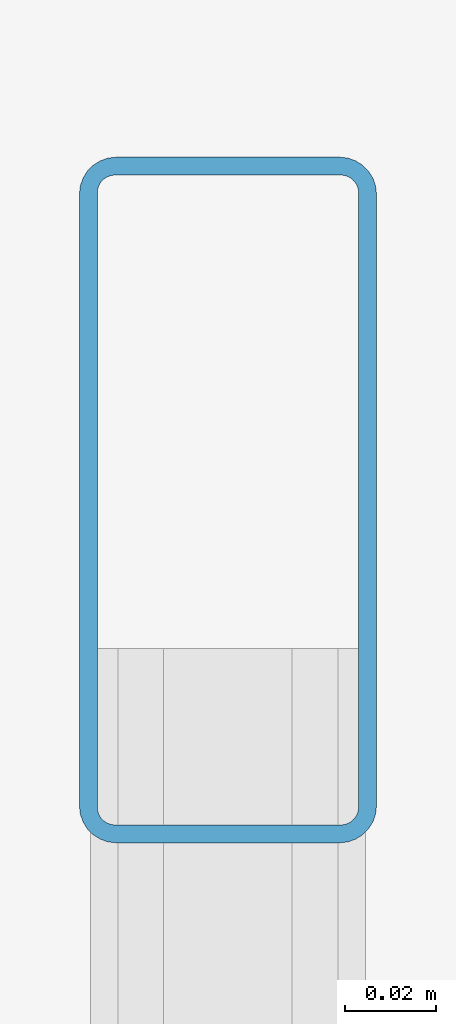
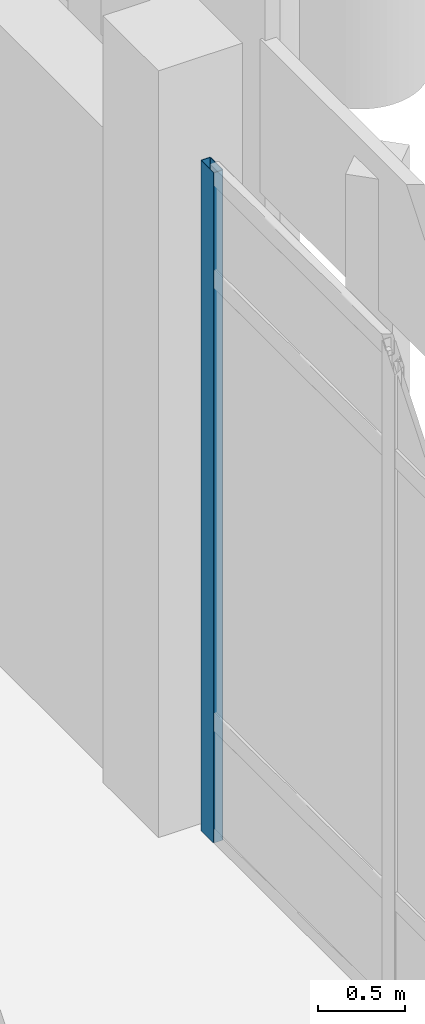
# One storey, part 29 of 109: 1 member, 1 element without a shape of its own.
"""IFC4 building model written with IfcOpenShell, lengths in metres."""

from ifc_helpers import new_model, si_unit, direction, frame, origin, origin_2d, place, context, subcontext, project, spatial, hollow_rectangle, extrude, material, material_profile, profile_set, type_object, element, aggregate, save


model = new_model("IFC4")

# Units and contexts
model_context = context("Model", 3, precision=1e-05, world=origin(), true_north=direction((0.0, 1.0)))
body_context = subcontext(model_context, "Body", "Model", "MODEL_VIEW")
ifc_project = project(units=[si_unit("LENGTHUNIT", "METRE"), si_unit("AREAUNIT", "SQUARE_METRE"), si_unit("VOLUMEUNIT", "CUBIC_METRE"), si_unit("PLANEANGLEUNIT", "RADIAN"), si_unit("MASSUNIT", "GRAM", prefix="KILO")], contexts=[model_context])

# Site, building, storey
site_placement = place(None, origin())
site = spatial("IfcSite", under=ifc_project, at=site_placement, CompositionType="ELEMENT")
building_placement = place(site_placement, origin())
building = spatial("IfcBuilding", under=site, at=building_placement, Name="Lusvemor Sports Hall", CompositionType="ELEMENT")
storey_placement = place(building_placement, origin())
storey = spatial("IfcBuildingStorey", under=building, at=storey_placement, Name="L00", CompositionType="ELEMENT", Elevation=0.0)

# Curtain wall, member
ifc_material_1 = material(Name="Thermally broken bronze-anodized aluminium", Category="aluminium")
curtain_wall_type = type_object("IfcCurtainWallType", Name="CW_WING_B", PredefinedType="NOTDEFINED", material=ifc_material_1)
curtain_wall_placement = place(storey_placement, origin())
curtain_wall = element("IfcCurtainWall", 1, at=curtain_wall_placement, inside=storey, type_object=curtain_wall_type, Name="Curtain Wall CW-L00-E-4-1", PredefinedType="NOTDEFINED")
ifc_material_2 = material(Name="Thermally broken bronze-anodized aluminium", Category="aluminium")
ifc_material_profile = material_profile(ifc_material_2, hollow_rectangle(XDim=0.06494140625, YDim=0.14990234375, WallThickness=0.00390625, InnerFilletRadius=0.00390625, OuterFilletRadius=0.008056640625, at=origin_2d()), Name="CWMUL150x65x4")
ifc_profile_set = profile_set([ifc_material_profile], Name="Thermally broken bronze-anodized aluminium")
member_type = type_object("IfcMemberType", Name="CW_MUL_B", PredefinedType="MULLION", material=ifc_profile_set)
member_placement = place(storey_placement, frame((21.60009765625, 60.74755859375, 0.0), z_axis=(0.0, 0.0, 1.0), x_axis=(1.0, 0.0, 0.0)))
member = element("IfcMember", 2, at=member_placement, type_object=member_type, Name="CW02 mullion 1", PredefinedType="MULLION", context=body_context, shape_type="SweptSolid", body=[
    extrude(hollow_rectangle(XDim=0.06494140625, YDim=0.14990234375, WallThickness=0.00390625, InnerFilletRadius=0.00390625, OuterFilletRadius=0.008056640625, at=origin_2d()), origin(), (0.0, 0.0, 1.0), 4.719970703125),
])
aggregate(curtain_wall, [member])

save(model, "model.ifc")
